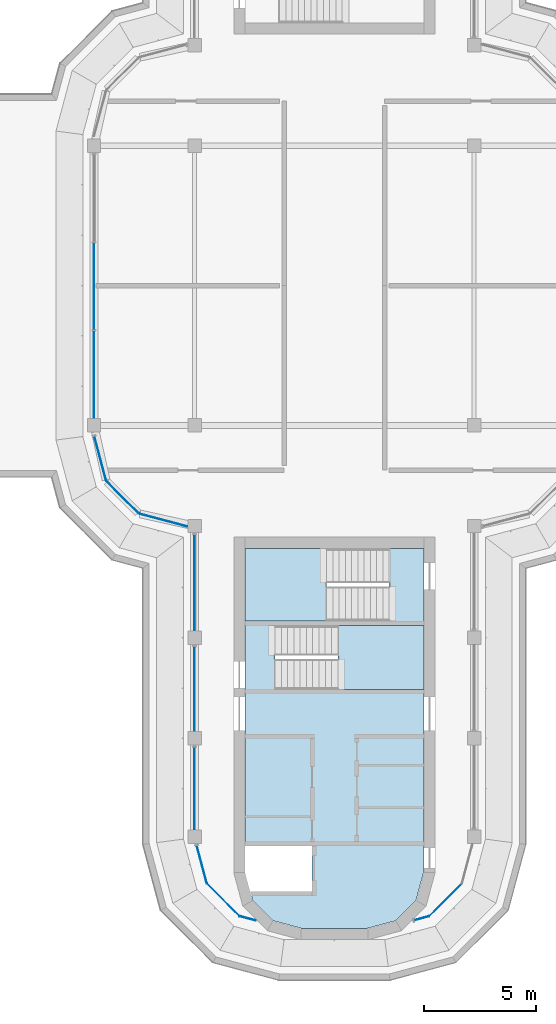
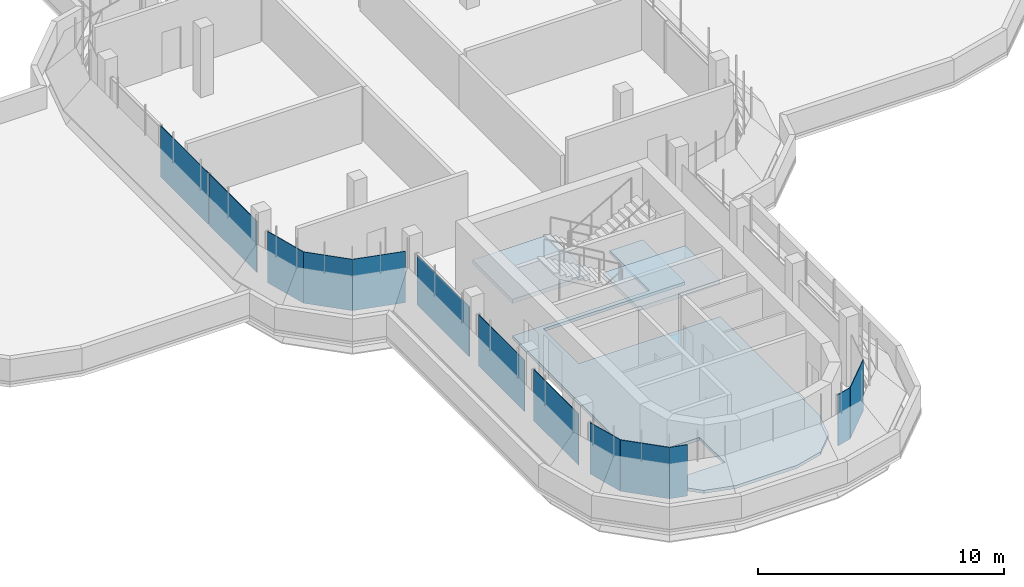
# One storey, part 5 of 13: 13 plates, 3 slabs, 12 elements without a shape of their own.
"""IFC4 building model written with IfcOpenShell, lengths in metres."""

from ifc_helpers import new_model, si_unit, direction, frame, origin, place, context, subcontext, project, spatial, polyline, outline, extrude, source, transform, mapped, material, layer, layer_set, type_object, element, aggregate, save


model = new_model("IFC4")

# Units and contexts
model_context = context("Model", 3, precision=1e-05, world=origin(), true_north=direction((0.0, 1.0)))
body_context = subcontext(model_context, "Body", "Model", "MODEL_VIEW")
ifc_project = project(units=[si_unit("LENGTHUNIT", "METRE"), si_unit("AREAUNIT", "SQUARE_METRE"), si_unit("VOLUMEUNIT", "CUBIC_METRE"), si_unit("PLANEANGLEUNIT", "RADIAN"), si_unit("MASSUNIT", "GRAM", prefix="KILO")], contexts=[model_context])

# Site, building, storey
site_placement = place(None, origin())
site = spatial("IfcSite", under=ifc_project, at=site_placement, CompositionType="ELEMENT")
building_placement = place(site_placement, origin())
building = spatial("IfcBuilding", under=site, at=building_placement, Name="Zarbagh Exchange Tower", CompositionType="ELEMENT")
storey_placement = place(building_placement, frame((0.0, 0.0, 298.800048828125)))
storey = spatial("IfcBuildingStorey", under=building, at=storey_placement, Name="L73", CompositionType="ELEMENT", Elevation=298.800048828125)

# Slab
ifc_material_1 = material(Name="Concrete C40/50", Category="concrete")
ifc_layer_1 = layer(ifc_material_1, 0.14990234375)
ifc_layer_set_1 = layer_set([ifc_layer_1], Name="Core floor slab 150 C40/50")
slab_type_1 = type_object("IfcSlabType", Name="Core floor slab 150 C40/50", PredefinedType="FLOOR", material=ifc_layer_set_1)
slab_1_placement = place(storey_placement, frame((0.0, 0.0, -0.150146484375)))
element("IfcSlab", 1, at=slab_1_placement, inside=storey, type_object=slab_type_1, Name="S17 core S", PredefinedType="FLOOR", context=body_context, shape_type="SweptSolid", body=[
    extrude(outline(polyline([(-2.7412109375, -28.39990234375), (-3.64990234375, -27.4912109375), (-3.857666015625, -26.715087890625), (-3.754638671875, -27.10009765625), (-1.0, -27.10009765625), (-1.0, -25.050048828125), (-4.0, -25.050048828125), (-4.0, -15.0), (2.449951171875, -15.0), (2.449951171875, -11.75), (4.0, -11.75), (4.0, -15.199951171875), (-2.64990234375, -15.199951171875), (-2.64990234375, -18.050048828125), (4.0, -18.050048828125), (4.0, -26.18408203125), (3.64990234375, -27.4912109375), (2.7412109375, -28.39990234375), (1.43408203125, -28.75), (-1.43408203125, -28.75), (-2.7412109375, -28.39990234375)])), origin(), (0.0, 0.0, 1.0), 0.150146484375),
])

# Stair, slab
stair_type = type_object("IfcStairType", Name="Exit stair two-flight half-turn", PredefinedType="HALF_TURN_STAIR", material=ifc_material_1)
stair_1_placement = place(storey_placement, origin())
stair_1 = element("IfcStair", 2, at=stair_1_placement, inside=storey, type_object=stair_type, Name="exit stair ST3", PredefinedType="HALF_TURN_STAIR")
ifc_layer_2 = layer(ifc_material_1, 0.199951171875)
ifc_layer_set_2 = layer_set([ifc_layer_2], Name="Stair landing 200 mm")
slab_type_2 = type_object("IfcSlabType", Name="Stair landing 200 mm", PredefinedType="LANDING", material=ifc_layer_set_2)
slab_2_placement = place(storey_placement, frame((0.0, 0.0, 1.599853515625)))
slab_2 = element("IfcSlab", 3, at=slab_2_placement, type_object=slab_type_2, Name="ST3 landing 1", PredefinedType="LANDING", context=body_context, shape_type="SweptSolid", body=[
    extrude(outline(polyline([(0.14990234375, -18.050048828125), (4.0, -18.050048828125), (4.0, -15.199951171875), (0.14990234375, -15.199951171875), (0.14990234375, -18.050048828125)])), origin(), (0.0, 0.0, 1.0), 0.2001953125),
])
aggregate(stair_1, [slab_2])

stair_2_placement = place(storey_placement, origin())
stair_2 = element("IfcStair", 4, at=stair_2_placement, inside=storey, type_object=stair_type, Name="exit stair ST4", PredefinedType="HALF_TURN_STAIR")
slab_3_placement = place(storey_placement, frame((0.0, 0.0, 1.599853515625)))
slab_3 = element("IfcSlab", 5, at=slab_3_placement, type_object=slab_type_2, Name="ST4 landing 1", PredefinedType="LANDING", context=body_context, shape_type="SweptSolid", body=[
    extrude(outline(polyline([(-0.35009765625, -11.75), (-4.0, -11.75), (-4.0, -15.0), (-0.35009765625, -15.0), (-0.35009765625, -11.75)])), origin(), (0.0, 0.0, 1.0), 0.2001953125),
])
aggregate(stair_2, [slab_3])

# Curtain wall, plate
ifc_material_2 = material(Name="Anodised aluminium frame and glazing", Category="aluminium")
curtain_wall_type = type_object("IfcCurtainWallType", Name="CWF Crown tier glazing", PredefinedType="NOTDEFINED", material=ifc_material_2)
curtain_wall_1_placement = place(storey_placement, origin())
curtain_wall_1 = element("IfcCurtainWall", 6, at=curtain_wall_1_placement, inside=storey, type_object=curtain_wall_type, Name="CWF01 curtain wall", PredefinedType="NOTDEFINED")
ifc_material_3 = material(Name="Low-e double glazed unit, 6+12+6 mm")
ifc_layer_3 = layer(ifc_material_3, 0.028076171875)
ifc_layer_set_3 = layer_set([ifc_layer_3], Name="PAF Glazing panel, Low-e double glazed unit, 6+12+6 mm")
plate_type = type_object("IfcPlateType", Name="PAF Glazing panel, Low-e double glazed unit, 6+12+6 mm", PredefinedType="CURTAIN_PANEL", material=ifc_layer_set_3)
shared_shape_1 = source(origin(), body_context, "Body", "SweptSolid", [
    extrude(outline(polyline([(0.0, -0.013916015625), (0.697021484375, -0.013916015625), (0.697021484375, 0.013916015625), (0.0, 0.013916015625), (0.0, -0.013916015625)])), origin(), (0.0, 0.0, 1.0), 2.550048828125),
])
placement = place(storey_placement, origin())
plate_1 = element("IfcPlate", 7, at=placement, type_object=plate_type, Name="CWF01 glazing panel 1.1", PredefinedType="CURTAIN_PANEL", context=body_context, shape_type="MappedRepresentation", body=[
    mapped(shared_shape_1, transform((3.56787109375, -28.379150390625, 0.0), x_axis=(0.965924289636, 0.258824779902, 0.0), y_axis=(-0.258824779902, 0.965924289636, 0.0), z_axis=(0.0, 0.0, 1.0))),
])
aggregate(curtain_wall_1, [plate_1])

curtain_wall_2_placement = place(storey_placement, origin())
curtain_wall_2 = element("IfcCurtainWall", 8, at=curtain_wall_2_placement, inside=storey, type_object=curtain_wall_type, Name="CWF02 curtain wall", PredefinedType="NOTDEFINED")
shared_shape_2 = source(origin(), body_context, "Body", "SweptSolid", [
    extrude(outline(polyline([(0.0, -0.013916015625), (2.061279296875, -0.013916015625), (2.061279296875, 0.013916015625), (0.0, 0.013916015625), (0.0, -0.013916015625)])), origin(), (0.0, 0.0, 1.0), 2.550048828125),
])
plate_2 = element("IfcPlate", 9, at=placement, type_object=plate_type, Name="CWF02 glazing panel 1.1", PredefinedType="CURTAIN_PANEL", context=body_context, shape_type="MappedRepresentation", body=[
    mapped(shared_shape_2, transform((4.2412109375, -28.19873046875, 0.0), x_axis=(0.707106781187, 0.707106781187, 0.0), y_axis=(-0.707106781187, 0.707106781187, 0.0), z_axis=(0.0, 0.0, 1.0))),
])
aggregate(curtain_wall_2, [plate_2])

curtain_wall_3_placement = place(storey_placement, origin())
curtain_wall_3 = element("IfcCurtainWall", 10, at=curtain_wall_3_placement, inside=storey, type_object=curtain_wall_type, Name="CWF41 curtain wall", PredefinedType="NOTDEFINED")
plate_3 = element("IfcPlate", 11, at=placement, type_object=plate_type, Name="CWF41 glazing panel 1.1", PredefinedType="CURTAIN_PANEL", context=body_context, shape_type="MappedRepresentation", body=[
    mapped(shared_shape_2, transform((-10.19873046875, -8.7412109375, 0.0), x_axis=(0.707106781187, -0.707106781187, 0.0), y_axis=(0.707106781187, 0.707106781187, 0.0), z_axis=(0.0, 0.0, 1.0))),
])
aggregate(curtain_wall_3, [plate_3])

curtain_wall_4_placement = place(storey_placement, origin())
curtain_wall_4 = element("IfcCurtainWall", 12, at=curtain_wall_4_placement, inside=storey, type_object=curtain_wall_type, Name="CWF45 curtain wall", PredefinedType="NOTDEFINED")
plate_4 = element("IfcPlate", 13, at=placement, type_object=plate_type, Name="CWF45 glazing panel 1.1", PredefinedType="CURTAIN_PANEL", context=body_context, shape_type="MappedRepresentation", body=[
    mapped(shared_shape_2, transform((-5.69873046875, -26.7412109375, 0.0), x_axis=(0.707106781187, -0.707106781187, 0.0), y_axis=(0.707106781187, 0.707106781187, 0.0), z_axis=(0.0, 0.0, 1.0))),
])
aggregate(curtain_wall_4, [plate_4])

curtain_wall_5_placement = place(storey_placement, origin())
curtain_wall_5 = element("IfcCurtainWall", 14, at=curtain_wall_5_placement, inside=storey, type_object=curtain_wall_type, Name="CWF43 curtain wall", PredefinedType="NOTDEFINED")
shared_shape_3 = source(origin(), body_context, "Body", "SweptSolid", [
    extrude(outline(polyline([(0.0, -0.013916015625), (3.760009765625, -0.013916015625), (3.760009765625, 0.013916015625), (0.0, 0.013916015625), (0.0, -0.013916015625)])), origin(), (0.0, 0.0, 1.0), 2.550048828125),
])
plate_5 = element("IfcPlate", 15, at=placement, type_object=plate_type, Name="CWF43 glazing panel 2.1", PredefinedType="CURTAIN_PANEL", context=body_context, shape_type="MappedRepresentation", body=[
    mapped(shared_shape_3, transform((-6.25, -16.150146484375, 0.0), x_axis=(0.0, -1.0, 0.0), y_axis=(1.0, 0.0, 0.0), z_axis=(0.0, 0.0, 1.0))),
])

curtain_wall_6_placement = place(storey_placement, origin())
curtain_wall_6 = element("IfcCurtainWall", 16, at=curtain_wall_6_placement, inside=storey, type_object=curtain_wall_type, Name="CWF42 curtain wall", PredefinedType="NOTDEFINED")
shared_shape_4 = source(origin(), body_context, "Body", "SweptSolid", [
    extrude(outline(polyline([(0.0, -0.013916015625), (2.22705078125, -0.013916015625), (2.22705078125, 0.013916015625), (0.0, 0.013916015625), (0.0, -0.013916015625)])), origin(), (0.0, 0.0, 1.0), 2.550048828125),
])
plate_6 = element("IfcPlate", 17, at=placement, type_object=plate_type, Name="CWF42 glazing panel 1.1", PredefinedType="CURTAIN_PANEL", context=body_context, shape_type="MappedRepresentation", body=[
    mapped(shared_shape_4, transform((-8.7412109375, -10.19873046875, 0.0), x_axis=(0.965924289636, -0.258824779902, 0.0), y_axis=(0.258824779902, 0.965924289636, 0.0), z_axis=(0.0, 0.0, 1.0))),
])
aggregate(curtain_wall_6, [plate_6])

# Plate
shared_shape_5 = source(origin(), body_context, "Body", "SweptSolid", [
    extrude(outline(polyline([(0.0, -0.013916015625), (4.260009765625, -0.013916015625), (4.260009765625, 0.013916015625), (0.0, 0.013916015625), (0.0, -0.013916015625)])), origin(), (0.0, 0.0, 1.0), 2.489990234375),
])
plate_7 = element("IfcPlate", 18, at=placement, type_object=plate_type, Name="CWF43 glazing panel 1.1", PredefinedType="CURTAIN_PANEL", context=body_context, shape_type="MappedRepresentation", body=[
    mapped(shared_shape_5, transform((-6.25, -11.150146484375, 0.0), x_axis=(0.0, -1.0, 0.0), y_axis=(1.0, 0.0, 0.0), z_axis=(0.0, 0.0, 1.0))),
])

# Curtain wall, plate
curtain_wall_7_placement = place(storey_placement, origin())
curtain_wall_7 = element("IfcCurtainWall", 19, at=curtain_wall_7_placement, inside=storey, type_object=curtain_wall_type, Name="CWF40 curtain wall", PredefinedType="NOTDEFINED")
shared_shape_6 = source(origin(), body_context, "Body", "SweptSolid", [
    extrude(outline(polyline([(0.0, -0.013916015625), (2.069580078125, -0.013916015625), (2.069580078125, 0.013916015625), (0.0, 0.013916015625), (0.0, -0.013916015625)])), origin(), (0.0, 0.0, 1.0), 2.550048828125),
])
plate_8 = element("IfcPlate", 20, at=placement, type_object=plate_type, Name="CWF40 glazing panel 1.1", PredefinedType="CURTAIN_PANEL", context=body_context, shape_type="MappedRepresentation", body=[
    mapped(shared_shape_6, transform((-10.734375, -6.7421875, 0.0), x_axis=(0.258824779902, -0.965924289636, 0.0), y_axis=(0.965924289636, 0.258824779902, 0.0), z_axis=(0.0, 0.0, 1.0))),
])
aggregate(curtain_wall_7, [plate_8])

# Plate
shared_shape_7 = source(origin(), body_context, "Body", "SweptSolid", [
    extrude(outline(polyline([(0.0, -0.013916015625), (3.659912109375, -0.013916015625), (3.659912109375, 0.013916015625), (0.0, 0.013916015625), (0.0, -0.013916015625)])), origin(), (0.0, 0.0, 1.0), 2.550048828125),
])
plate_9 = element("IfcPlate", 21, at=placement, type_object=plate_type, Name="CWF43 glazing panel 3.1", PredefinedType="CURTAIN_PANEL", context=body_context, shape_type="MappedRepresentation", body=[
    mapped(shared_shape_7, transform((-6.25, -20.650146484375, 0.0), x_axis=(0.0, -1.0, 0.0), y_axis=(1.0, 0.0, 0.0), z_axis=(0.0, 0.0, 1.0))),
])

aggregate(curtain_wall_5, [plate_7, plate_5, plate_9])

# Curtain wall, plate
curtain_wall_8_placement = place(storey_placement, origin())
curtain_wall_8 = element("IfcCurtainWall", 22, at=curtain_wall_8_placement, inside=storey, type_object=curtain_wall_type, Name="CWF44 curtain wall", PredefinedType="NOTDEFINED")
shared_shape_8 = source(origin(), body_context, "Body", "SweptSolid", [
    extrude(outline(polyline([(0.0, -0.013916015625), (1.7529296875, -0.013916015625), (1.7529296875, 0.013916015625), (0.0, 0.013916015625), (0.0, -0.013916015625)])), origin(), (0.0, 0.0, 1.0), 2.550048828125),
])
plate_10 = element("IfcPlate", 23, at=placement, type_object=plate_type, Name="CWF44 glazing panel 1.1", PredefinedType="CURTAIN_PANEL", context=body_context, shape_type="MappedRepresentation", body=[
    mapped(shared_shape_8, transform((-6.152587890625, -25.0478515625, 0.0), x_axis=(0.258824779902, -0.965924289636, 0.0), y_axis=(0.965924289636, 0.258824779902, 0.0), z_axis=(0.0, 0.0, 1.0))),
])
aggregate(curtain_wall_8, [plate_10])

curtain_wall_9_placement = place(storey_placement, origin())
curtain_wall_9 = element("IfcCurtainWall", 24, at=curtain_wall_9_placement, inside=storey, type_object=curtain_wall_type, Name="CWF46 curtain wall", PredefinedType="NOTDEFINED")
shared_shape_9 = source(origin(), body_context, "Body", "SweptSolid", [
    extrude(outline(polyline([(0.0, -0.013916015625), (0.757080078125, -0.013916015625), (0.757080078125, 0.013916015625), (0.0, 0.013916015625), (0.0, -0.013916015625)])), origin(), (0.0, 0.0, 1.0), 2.550048828125),
])
plate_11 = element("IfcPlate", 25, at=placement, type_object=plate_type, Name="CWF46 glazing panel 1.1", PredefinedType="CURTAIN_PANEL", context=body_context, shape_type="MappedRepresentation", body=[
    mapped(shared_shape_9, transform((-4.2412109375, -28.19873046875, 0.0), x_axis=(0.965924289636, -0.258824779902, 0.0), y_axis=(0.258824779902, 0.965924289636, 0.0), z_axis=(0.0, 0.0, 1.0))),
])
aggregate(curtain_wall_9, [plate_11])

# Curtain wall, plates
curtain_wall_10_placement = place(storey_placement, origin())
curtain_wall_10 = element("IfcCurtainWall", 26, at=curtain_wall_10_placement, inside=storey, type_object=curtain_wall_type, Name="CWF48 curtain wall", PredefinedType="NOTDEFINED")
shared_shape_10 = source(origin(), body_context, "Body", "SweptSolid", [
    extrude(outline(polyline([(0.0, -0.013916015625), (3.8798828125, -0.013916015625), (3.8798828125, 0.013916015625), (0.0, 0.013916015625), (0.0, -0.013916015625)])), origin(), (0.0, 0.0, 1.0), 2.550048828125),
])
plate_12 = element("IfcPlate", 27, at=placement, type_object=plate_type, Name="CWF48 glazing panel 1.2", PredefinedType="CURTAIN_PANEL", context=body_context, shape_type="MappedRepresentation", body=[
    mapped(shared_shape_10, transform((-10.75, 1.909912109375, 0.0), x_axis=(0.0, -1.0, 0.0), y_axis=(1.0, 0.0, 0.0), z_axis=(0.0, 0.0, 1.0))),
])
plate_13 = element("IfcPlate", 28, at=placement, type_object=plate_type, Name="CWF48 glazing panel 1.3", PredefinedType="CURTAIN_PANEL", context=body_context, shape_type="MappedRepresentation", body=[
    mapped(shared_shape_10, transform((-10.75, -2.030029296875, 0.0), x_axis=(0.0, -1.0, 0.0), y_axis=(1.0, 0.0, 0.0), z_axis=(0.0, 0.0, 1.0))),
])
aggregate(curtain_wall_10, [plate_12, plate_13])

save(model, "model.ifc")
